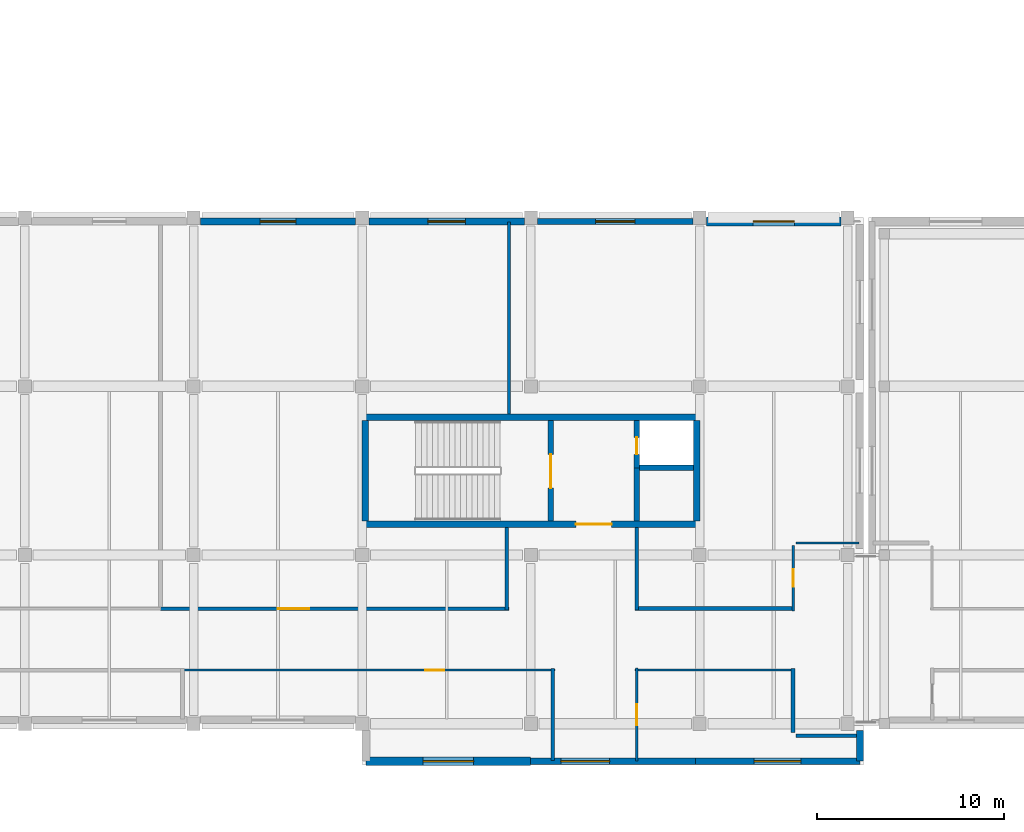
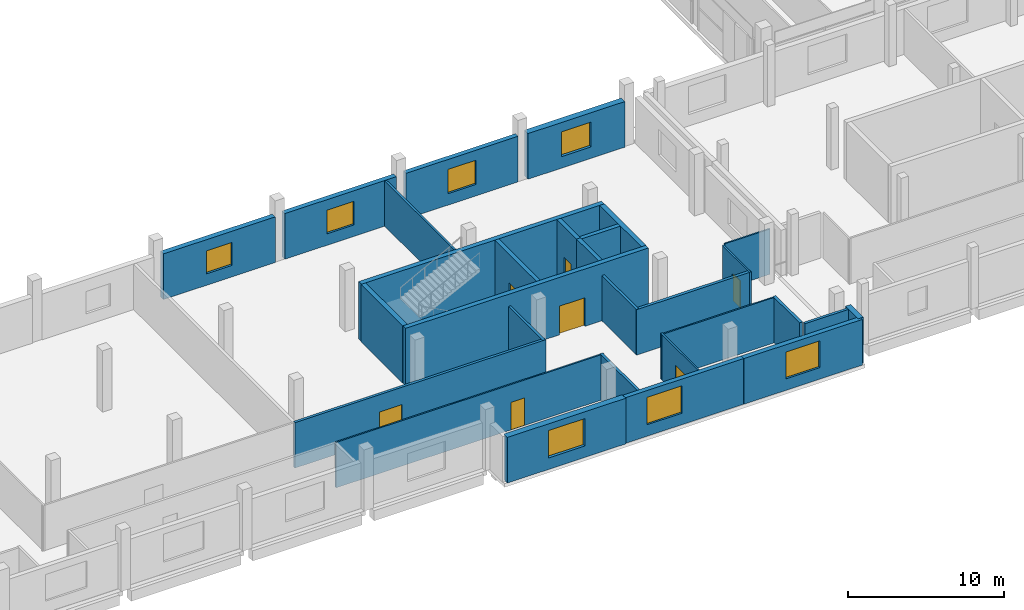
# One storey, part 74 of 111: 29 walls, 7 doors, 7 windows, 14 openings.
"""IFC4 building model written with IfcOpenShell, lengths in metres."""

from ifc_helpers import new_model, si_unit, direction, frame, frame_2d, origin, place, context, subcontext, project, spatial, rectangle, extrude, material, layer, layer_set, type_object, element, fill, save


model = new_model("IFC4")

# Units and contexts
model_context = context("Model", 3, precision=1e-05, world=origin(), true_north=direction((0.0, 1.0)))
body_context = subcontext(model_context, "Body", "Model", "MODEL_VIEW")
ifc_project = project(units=[si_unit("LENGTHUNIT", "METRE"), si_unit("AREAUNIT", "SQUARE_METRE"), si_unit("VOLUMEUNIT", "CUBIC_METRE"), si_unit("PLANEANGLEUNIT", "RADIAN"), si_unit("MASSUNIT", "GRAM", prefix="KILO"), si_unit("THERMODYNAMICTEMPERATUREUNIT", "KELVIN"), si_unit("POWERUNIT", "WATT")], contexts=[model_context])

# Site, building, storey
site_placement = place(None, origin())
site = spatial("IfcSite", under=ifc_project, at=site_placement, CompositionType="ELEMENT")
building_placement = place(site_placement, origin())
building = spatial("IfcBuilding", under=site, at=building_placement, Name="Sindhuravela Promenade Stadium", CompositionType="ELEMENT")
storey_placement = place(building_placement, frame((0.0, 0.0, 9.60009765625)))
storey = spatial("IfcBuildingStorey", under=building, at=storey_placement, Name="L02", CompositionType="ELEMENT", Elevation=9.60009765625)

# Wall, opening, window
ifc_material_1 = material(Name="Terracotta clay brick masonry (15 MPa)", Category="masonry")
ifc_layer_1 = layer(ifc_material_1, 0.340087890625)
ifc_layer_set_1 = layer_set([ifc_layer_1], Name="Terracotta clay brick masonry (15 MPa)")
wall_type_1 = type_object("IfcWallType", Name="EX-WL-BRK340", PredefinedType="SOLIDWALL", material=ifc_layer_set_1)
wall_1_placement = place(storey_placement, frame((144.35498046875, 35.800048828125, 0.0), z_axis=(0.0, 0.0, 1.0), x_axis=(1.0, 0.0, 0.0)))
wall_1 = element("IfcWall", 1, at=wall_1_placement, inside=storey, type_object=wall_type_1, Name="Exterior masonry wall EW06 SOUTH L02", PredefinedType="SOLIDWALL", context=body_context, shape_type="SweptSolid", body=[
    extrude(rectangle(XDim=8.2900390625, YDim=0.340087890625, at=frame_2d((4.14501953125, 0.0))), origin(), (0.0, 0.0, 1.0), 3.579833984375),
])
opening_1_placement = place(wall_1_placement, frame((3.094970703125, 0.0, 0.89990234375)))
opening_1 = element("IfcOpeningElement", 2, at=opening_1_placement, cuts=wall_1, Name="Opening W11", PredefinedType="OPENING", context=body_context, shape_type="SweptSolid", body=[
    extrude(rectangle(XDim=2.10009765625, YDim=1.89990234375, at=frame_2d((1.050048828125, 0.949951171875))), frame((0.0, 0.179931640625, 0.0), z_axis=(0.0, -1.0, 0.0), x_axis=(1.0, 0.0, 0.0)), (0.0, 0.0, 1.0), 0.360107421875),
])
ifc_material_2 = material(Name="Tempered laminated low-E glass", Category="glass")
window_type_1 = type_object("IfcWindowType", Name="WN-FAC-2100x1900", PartitioningType="DOUBLE_PANEL_VERTICAL", PredefinedType="WINDOW", material=ifc_material_2)
window_1_placement = place(opening_1_placement, origin())
window_1 = element("IfcWindow", 3, at=window_1_placement, inside=storey, type_object=window_type_1, Name="Window W11 SOUTH L02", OverallHeight=1.89990234375, OverallWidth=2.10009765625, PartitioningType="DOUBLE_PANEL_VERTICAL", PredefinedType="WINDOW", context=body_context, shape_type="SweptSolid", body=[
    extrude(rectangle(XDim=2.10009765625, YDim=1.89990234375, at=frame_2d((1.050048828125, 0.949951171875))), frame((0.0, 0.030029296875, 0.0), z_axis=(0.0, -1.0, 0.0), x_axis=(1.0, 0.0, 0.0)), (0.0, 0.0, 1.0), 0.06005859375),
])
fill(opening_1, window_1)

wall_2_placement = place(storey_placement, frame((152.7666015625, 7.0, 0.0), z_axis=(0.0, 0.0, 1.0), x_axis=(-1.0, 0.0, 0.0)))
wall_2 = element("IfcWall", 4, at=wall_2_placement, inside=storey, type_object=wall_type_1, Name="Exterior masonry wall EW06 SOUTH L02", PredefinedType="SOLIDWALL", context=body_context, shape_type="SweptSolid", body=[
    extrude(rectangle(XDim=8.783203125, YDim=0.340087890625, at=frame_2d((4.3916015625, 0.0))), origin(), (0.0, 0.0, 1.0), 3.579833984375),
])
opening_2_placement = place(wall_2_placement, frame((4.570068359375, 0.0, 0.89990234375)))
opening_2 = element("IfcOpeningElement", 5, at=opening_2_placement, cuts=wall_2, Name="Opening W16", PredefinedType="OPENING", context=body_context, shape_type="SweptSolid", body=[
    extrude(rectangle(XDim=2.60009765625, YDim=2.14990234375, at=frame_2d((1.300048828125, 1.074951171875))), frame((0.0, 0.179931640625, 0.0), z_axis=(0.0, -1.0, 0.0), x_axis=(1.0, 0.0, 0.0)), (0.0, 0.0, 1.0), 0.360107421875),
])
window_type_2 = type_object("IfcWindowType", Name="WN-FAC-2600x2150", PartitioningType="DOUBLE_PANEL_VERTICAL", PredefinedType="WINDOW", material=ifc_material_2)
window_2_placement = place(opening_2_placement, origin())
window_2 = element("IfcWindow", 6, at=window_2_placement, inside=storey, type_object=window_type_2, Name="Window W16 SOUTH L02", OverallHeight=2.14990234375, OverallWidth=2.60009765625, PartitioningType="DOUBLE_PANEL_VERTICAL", PredefinedType="WINDOW", context=body_context, shape_type="SweptSolid", body=[
    extrude(rectangle(XDim=2.60009765625, YDim=2.14990234375, at=frame_2d((1.300048828125, 1.074951171875))), frame((0.0, 0.030029296875, 0.0), z_axis=(0.0, -1.0, 0.0), x_axis=(1.0, 0.0, 0.0)), (0.0, 0.0, 1.0), 0.06005859375),
])
fill(opening_2, window_2)

ifc_layer_2 = layer(ifc_material_1, 0.360107421875)
ifc_layer_set_2 = layer_set([ifc_layer_2], Name="Terracotta clay brick masonry (15 MPa)")
wall_type_2 = type_object("IfcWallType", Name="EX-WL-BRK360", PredefinedType="SOLIDWALL", material=ifc_layer_set_2)
wall_3_placement = place(storey_placement, frame((135.35498046875, 35.800048828125, 0.0), z_axis=(0.0, 0.0, 1.0), x_axis=(1.0, 0.0, 0.0)))
wall_3 = element("IfcWall", 7, at=wall_3_placement, inside=storey, type_object=wall_type_2, Name="Exterior masonry wall EW05 SOUTH L02", PredefinedType="SOLIDWALL", context=body_context, shape_type="SweptSolid", body=[
    extrude(rectangle(XDim=8.2900390625, YDim=0.360107421875, at=frame_2d((4.14501953125, 0.0))), origin(), (0.0, 0.0, 1.0), 3.579833984375),
])
opening_3_placement = place(wall_3_placement, frame((3.14501953125, 0.0, 0.89990234375)))
opening_3 = element("IfcOpeningElement", 8, at=opening_3_placement, cuts=wall_3, Name="Opening W10", PredefinedType="OPENING", context=body_context, shape_type="SweptSolid", body=[
    extrude(rectangle(XDim=2.0, YDim=1.85009765625, at=frame_2d((1.0, 0.925048828125))), frame((0.0, 0.18994140625, 0.0), z_axis=(0.0, -1.0, 0.0), x_axis=(1.0, 0.0, 0.0)), (0.0, 0.0, 1.0), 0.380126953125),
])
window_type_3 = type_object("IfcWindowType", Name="WN-FAC-2000x1850", PartitioningType="DOUBLE_PANEL_VERTICAL", PredefinedType="WINDOW", material=ifc_material_2)
window_3_placement = place(opening_3_placement, origin())
window_3 = element("IfcWindow", 9, at=window_3_placement, inside=storey, type_object=window_type_3, Name="Window W10 SOUTH L02", OverallHeight=1.85009765625, OverallWidth=2.0, PartitioningType="DOUBLE_PANEL_VERTICAL", PredefinedType="WINDOW", context=body_context, shape_type="SweptSolid", body=[
    extrude(rectangle(XDim=2.0, YDim=1.85009765625, at=frame_2d((1.0, 0.925048828125))), frame((0.0, 0.030029296875, 0.0), z_axis=(0.0, -1.0, 0.0), x_axis=(1.0, 0.0, 0.0)), (0.0, 0.0, 1.0), 0.06005859375),
])
fill(opening_3, window_3)

wall_4_placement = place(storey_placement, frame((161.550048828125, 7.0, 0.0), z_axis=(0.0, 0.0, 1.0), x_axis=(-1.0, 0.0, 0.0)))
wall_4 = element("IfcWall", 10, at=wall_4_placement, inside=storey, type_object=wall_type_2, Name="Exterior masonry wall EW05 SOUTH L02", PredefinedType="SOLIDWALL", context=body_context, shape_type="SweptSolid", body=[
    extrude(rectangle(XDim=8.783447265625, YDim=0.360107421875, at=frame_2d((4.3916015625, 0.0))), origin(), (0.0, 0.0, 1.0), 3.579833984375),
])
opening_4_placement = place(wall_4_placement, frame((3.1416015625, 0.0, 0.89990234375)))
opening_4 = element("IfcOpeningElement", 11, at=opening_4_placement, cuts=wall_4, Name="Opening W15", PredefinedType="OPENING", context=body_context, shape_type="SweptSolid", body=[
    extrude(rectangle(XDim=2.5, YDim=2.10009765625, at=frame_2d((1.25, 1.050048828125))), frame((0.0, 0.18994140625, 0.0), z_axis=(0.0, -1.0, 0.0), x_axis=(1.0, 0.0, 0.0)), (0.0, 0.0, 1.0), 0.380126953125),
])
window_type_4 = type_object("IfcWindowType", Name="WN-FAC-2500x2100", PartitioningType="DOUBLE_PANEL_VERTICAL", PredefinedType="WINDOW", material=ifc_material_2)
window_4_placement = place(opening_4_placement, origin())
window_4 = element("IfcWindow", 12, at=window_4_placement, inside=storey, type_object=window_type_4, Name="Window W15 SOUTH L02", OverallHeight=2.10009765625, OverallWidth=2.5, PartitioningType="DOUBLE_PANEL_VERTICAL", PredefinedType="WINDOW", context=body_context, shape_type="SweptSolid", body=[
    extrude(rectangle(XDim=2.5, YDim=2.10009765625, at=frame_2d((1.25, 1.050048828125))), frame((0.0, 0.030029296875, 0.0), z_axis=(0.0, -1.0, 0.0), x_axis=(1.0, 0.0, 0.0)), (0.0, 0.0, 1.0), 0.06005859375),
])
fill(opening_4, window_4)

ifc_layer_3 = layer(ifc_material_1, 0.3798828125)
ifc_layer_set_3 = layer_set([ifc_layer_3], Name="Terracotta clay brick masonry (15 MPa)")
wall_type_3 = type_object("IfcWallType", Name="EX-WL-BRK380", PredefinedType="SOLIDWALL", material=ifc_layer_set_3)
wall_5_placement = place(storey_placement, frame((126.35498046875, 35.800048828125, 0.0), z_axis=(0.0, 0.0, 1.0), x_axis=(1.0, 0.0, 0.0)))
wall_5 = element("IfcWall", 13, at=wall_5_placement, inside=storey, type_object=wall_type_3, Name="Exterior masonry wall EW04 SOUTH L02", PredefinedType="SOLIDWALL", context=body_context, shape_type="SweptSolid", body=[
    extrude(rectangle(XDim=8.2900390625, YDim=0.3798828125, at=frame_2d((4.14501953125, 0.0))), origin(), (0.0, 0.0, 1.0), 3.579833984375),
])
opening_5_placement = place(wall_5_placement, frame((3.195068359375, 0.0, 0.89990234375)))
opening_5 = element("IfcOpeningElement", 14, at=opening_5_placement, cuts=wall_5, Name="Opening W09", PredefinedType="OPENING", context=body_context, shape_type="SweptSolid", body=[
    extrude(rectangle(XDim=1.89990234375, YDim=1.800048828125, at=frame_2d((0.949951171875, 0.89990234375))), frame((0.0, 0.199951171875, 0.0), z_axis=(0.0, -1.0, 0.0), x_axis=(1.0, 0.0, 0.0)), (0.0, 0.0, 1.0), 0.39990234375),
])
window_type_5 = type_object("IfcWindowType", Name="WN-FAC-1900x1800", PartitioningType="DOUBLE_PANEL_VERTICAL", PredefinedType="WINDOW", material=ifc_material_2)
window_5_placement = place(opening_5_placement, origin())
window_5 = element("IfcWindow", 15, at=window_5_placement, inside=storey, type_object=window_type_5, Name="Window W09 SOUTH L02", OverallHeight=1.800048828125, OverallWidth=1.89990234375, PartitioningType="DOUBLE_PANEL_VERTICAL", PredefinedType="WINDOW", context=body_context, shape_type="SweptSolid", body=[
    extrude(rectangle(XDim=1.89990234375, YDim=1.800048828125, at=frame_2d((0.949951171875, 0.89990234375))), frame((0.0, 0.030029296875, 0.0), z_axis=(0.0, -1.0, 0.0), x_axis=(1.0, 0.0, 0.0)), (0.0, 0.0, 1.0), 0.06005859375),
])
fill(opening_5, window_5)

# Wall
wall_6_placement = place(storey_placement, frame((161.550048828125, 8.64501953125, 0.0), z_axis=(0.0, 0.0, 1.0), x_axis=(0.0, -1.0, 0.0)))
element("IfcWall", 16, at=wall_6_placement, inside=storey, type_object=wall_type_3, Name="Exterior masonry wall EW04 SOUTH L02", PredefinedType="SOLIDWALL", context=body_context, shape_type="SweptSolid", body=[
    extrude(rectangle(XDim=1.64501953125, YDim=0.3798828125, at=frame_2d((0.822509765625, 0.0))), origin(), (0.0, 0.0, 1.0), 3.579833984375),
])

# Wall, opening, window
ifc_layer_4 = layer(ifc_material_1, 0.4599609375)
ifc_layer_set_4 = layer_set([ifc_layer_4], Name="Terracotta clay brick masonry (15 MPa)")
wall_type_4 = type_object("IfcWallType", Name="EX-WL-BRK460", PredefinedType="SOLIDWALL", material=ifc_layer_set_4)
wall_7_placement = place(storey_placement, frame((153.35498046875, 35.800048828125, 0.0), z_axis=(0.0, 0.0, 1.0), x_axis=(1.0, 0.0, 0.0)))
wall_7 = element("IfcWall", 17, at=wall_7_placement, inside=storey, type_object=wall_type_4, Name="Exterior masonry wall EW01 SOUTH L02", PredefinedType="SOLIDWALL", context=body_context, shape_type="SweptSolid", body=[
    extrude(rectangle(XDim=7.18994140625, YDim=0.4599609375, at=frame_2d((3.594970703125, 0.0))), origin(), (0.0, 0.0, 1.0), 3.579833984375),
])
opening_6_placement = place(wall_7_placement, frame((2.4951171875, 0.0, 0.89990234375)))
opening_6 = element("IfcOpeningElement", 18, at=opening_6_placement, cuts=wall_7, Name="Opening W12", PredefinedType="OPENING", context=body_context, shape_type="SweptSolid", body=[
    extrude(rectangle(XDim=2.199951171875, YDim=1.949951171875, at=frame_2d((1.10009765625, 0.97509765625))), frame((0.0, 0.239990234375, 0.0), z_axis=(0.0, -1.0, 0.0), x_axis=(1.0, 0.0, 0.0)), (0.0, 0.0, 1.0), 0.47998046875),
])
window_type_6 = type_object("IfcWindowType", Name="WN-FAC-2200x1950", PartitioningType="DOUBLE_PANEL_VERTICAL", PredefinedType="WINDOW", material=ifc_material_2)
window_6_placement = place(opening_6_placement, origin())
window_6 = element("IfcWindow", 19, at=window_6_placement, inside=storey, type_object=window_type_6, Name="Window W12 SOUTH L02", OverallHeight=1.949951171875, OverallWidth=2.199951171875, PartitioningType="DOUBLE_PANEL_VERTICAL", PredefinedType="WINDOW", context=body_context, shape_type="SweptSolid", body=[
    extrude(rectangle(XDim=2.199951171875, YDim=1.949951171875, at=frame_2d((1.10009765625, 0.97509765625))), frame((0.0, 0.030029296875, 0.0), z_axis=(0.0, -1.0, 0.0), x_axis=(1.0, 0.0, 0.0)), (0.0, 0.0, 1.0), 0.06005859375),
])
fill(opening_6, window_6)

wall_8_placement = place(storey_placement, frame((143.9833984375, 7.0, 0.0), z_axis=(0.0, 0.0, 1.0), x_axis=(-1.0, 0.0, 0.0)))
wall_8 = element("IfcWall", 20, at=wall_8_placement, inside=storey, type_object=wall_type_4, Name="Exterior masonry wall EW01 SOUTH L02", PredefinedType="SOLIDWALL", context=body_context, shape_type="SweptSolid", body=[
    extrude(rectangle(XDim=8.783447265625, YDim=0.4599609375, at=frame_2d((4.3916015625, 0.0))), origin(), (0.0, 0.0, 1.0), 3.579833984375),
])
opening_7_placement = place(wall_8_placement, frame((3.041748046875, 0.0, 0.89990234375)))
opening_7 = element("IfcOpeningElement", 21, at=opening_7_placement, cuts=wall_8, Name="Opening W17", PredefinedType="OPENING", context=body_context, shape_type="SweptSolid", body=[
    extrude(rectangle(XDim=2.699951171875, YDim=2.14990234375, at=frame_2d((1.35009765625, 1.074951171875))), frame((0.0, 0.239990234375, 0.0), z_axis=(0.0, -1.0, 0.0), x_axis=(1.0, 0.0, 0.0)), (0.0, 0.0, 1.0), 0.47998046875),
])
window_type_7 = type_object("IfcWindowType", Name="WN-FAC-2700x2150", PartitioningType="DOUBLE_PANEL_VERTICAL", PredefinedType="WINDOW", material=ifc_material_2)
window_7_placement = place(opening_7_placement, origin())
window_7 = element("IfcWindow", 22, at=window_7_placement, inside=storey, type_object=window_type_7, Name="Window W17 SOUTH L02", OverallHeight=2.14990234375, OverallWidth=2.699951171875, PartitioningType="DOUBLE_PANEL_VERTICAL", PredefinedType="WINDOW", context=body_context, shape_type="SweptSolid", body=[
    extrude(rectangle(XDim=2.699951171875, YDim=2.14990234375, at=frame_2d((1.35009765625, 1.074951171875))), frame((0.0, 0.030029296875, 0.0), z_axis=(0.0, -1.0, 0.0), x_axis=(1.0, 0.0, 0.0)), (0.0, 0.0, 1.0), 0.06005859375),
])
fill(opening_7, window_7)

# Wall
ifc_material_3 = material(Name="Fire-rated gypsum partition board", Category="gypsum")
ifc_layer_5 = layer(ifc_material_3, 0.110107421875)
ifc_layer_set_5 = layer_set([ifc_layer_5], Name="Fire-rated gypsum partition board")
wall_type_5 = type_object("IfcWallType", Name="IN-WL-PAR110", PredefinedType="PARTITIONING", material=ifc_layer_set_5)
wall_9_placement = place(storey_placement, frame((161.510009765625, 18.639892578125, 0.0), z_axis=(0.0, 0.0, 1.0), x_axis=(-1.0, 0.0, 0.0)))
element("IfcWall", 23, at=wall_9_placement, inside=storey, type_object=wall_type_5, Name="Interior partition IW06 SOUTH L02", PredefinedType="PARTITIONING", context=body_context, shape_type="SweptSolid", body=[
    extrude(rectangle(XDim=3.360107421875, YDim=0.110107421875, at=frame_2d((1.68017578125, 0.0))), origin(), (0.0, 0.0, 1.0), 3.559814453125),
])

# Wall, opening, door
wall_10_placement = place(storey_placement, frame((145.280029296875, 11.860107421875, 0.0), z_axis=(0.0, 0.0, 1.0), x_axis=(-1.0, 0.0, 0.0)))
wall_10 = element("IfcWall", 24, at=wall_10_placement, inside=storey, type_object=wall_type_5, Name="Corridor partition IW06 Public Toilet Block South L02", PredefinedType="PARTITIONING", context=body_context, shape_type="SweptSolid", body=[
    extrude(rectangle(XDim=19.880126953125, YDim=0.110107421875, at=frame_2d((9.93994140625, 0.0))), origin(), (0.0, 0.0, 1.0), 3.559814453125),
])
opening_8_placement = place(wall_10_placement, frame((5.894775390625, 0.0, 0.0)))
opening_8 = element("IfcOpeningElement", 25, at=opening_8_placement, cuts=wall_10, Name="Opening ID11", PredefinedType="OPENING", context=body_context, shape_type="SweptSolid", body=[
    extrude(rectangle(XDim=1.02001953125, YDim=2.159912109375, at=frame_2d((0.510009765625, 1.080078125))), frame((0.0, 0.06494140625, 0.0), z_axis=(0.0, -1.0, 0.0), x_axis=(1.0, 0.0, 0.0)), (0.0, 0.0, 1.0), 0.130126953125),
])
ifc_material_4 = material(Name="Architectural teak timber leaf", Category="wood")
door_type_1 = type_object("IfcDoorType", Name="DR-INT-1020x2160", OperationType="NOTDEFINED", PredefinedType="DOOR", material=ifc_material_4)
door_1_placement = place(opening_8_placement, origin())
door_1 = element("IfcDoor", 26, at=door_1_placement, inside=storey, type_object=door_type_1, Name="Public Toilet Block South L02 door", OperationType="SINGLE_SWING_RIGHT", OverallHeight=2.159912109375, OverallWidth=1.02001953125, PredefinedType="DOOR", context=body_context, shape_type="SweptSolid", body=[
    extrude(rectangle(XDim=1.02001953125, YDim=2.159912109375, at=frame_2d((0.510009765625, 1.080078125))), frame((0.0, 0.02490234375, 0.0), z_axis=(0.0, -1.0, 0.0), x_axis=(1.0, 0.0, 0.0)), (0.0, 0.0, 1.0), 0.050048828125),
])
fill(opening_8, door_1)

# Wall
wall_11_placement = place(storey_placement, frame((149.56005859375, 11.860107421875, 0.0), z_axis=(0.0, 0.0, 1.0), x_axis=(1.0, 0.0, 0.0)))
element("IfcWall", 27, at=wall_11_placement, inside=storey, type_object=wall_type_5, Name="Interior partition IW06 SOUTH L02", PredefinedType="PARTITIONING", context=body_context, shape_type="SweptSolid", body=[
    extrude(rectangle(XDim=8.510009765625, YDim=0.110107421875, at=frame_2d((4.2548828125, 0.0))), origin(), (0.0, 0.0, 1.0), 3.559814453125),
])

# Wall, opening, door
ifc_layer_6 = layer(ifc_material_3, 0.1298828125)
ifc_layer_set_6 = layer_set([ifc_layer_6], Name="Fire-rated gypsum partition board")
wall_type_6 = type_object("IfcWallType", Name="IN-WL-PAR130", PredefinedType="PARTITIONING", material=ifc_layer_set_6)
wall_12_placement = place(storey_placement, frame((157.989990234375, 15.02001953125, 0.0), z_axis=(0.0, 0.0, 1.0), x_axis=(0.0, 1.0, 0.0)))
wall_12 = element("IfcWall", 28, at=wall_12_placement, inside=storey, type_object=wall_type_6, Name="Corridor partition IW05 Community Catering Kitchen", PredefinedType="PARTITIONING", context=body_context, shape_type="SweptSolid", body=[
    extrude(rectangle(XDim=3.5, YDim=0.1298828125, at=frame_2d((1.75, 0.0))), origin(), (0.0, 0.0, 1.0), 3.559814453125),
])
opening_9_placement = place(wall_12_placement, frame((1.27490234375, 0.0, 0.0)))
opening_9 = element("IfcOpeningElement", 29, at=opening_9_placement, cuts=wall_12, Name="Opening ID09", PredefinedType="OPENING", context=body_context, shape_type="SweptSolid", body=[
    extrude(rectangle(XDim=0.949951171875, YDim=2.10009765625, at=frame_2d((0.47509765625, 1.050048828125))), frame((0.0, 0.074951171875, 0.0), z_axis=(0.0, -1.0, 0.0), x_axis=(1.0, 0.0, 0.0)), (0.0, 0.0, 1.0), 0.14990234375),
])
door_type_2 = type_object("IfcDoorType", Name="DR-INT-950x2100", OperationType="NOTDEFINED", PredefinedType="DOOR", material=ifc_material_4)
door_2_placement = place(opening_9_placement, origin())
door_2 = element("IfcDoor", 30, at=door_2_placement, inside=storey, type_object=door_type_2, Name="Community Catering Kitchen door", OperationType="SINGLE_SWING_LEFT", OverallHeight=2.10009765625, OverallWidth=0.949951171875, PredefinedType="DOOR", context=body_context, shape_type="SweptSolid", body=[
    extrude(rectangle(XDim=0.949951171875, YDim=2.10009765625, at=frame_2d((0.47509765625, 1.050048828125))), frame((0.0, 0.02490234375, 0.0), z_axis=(0.0, -1.0, 0.0), x_axis=(1.0, 0.0, 0.0)), (0.0, 0.0, 1.0), 0.050048828125),
])
fill(opening_9, door_2)

wall_13_placement = place(storey_placement, frame((149.639892578125, 11.97998046875, 0.0), z_axis=(0.0, 0.0, 1.0), x_axis=(0.0, -1.0, 0.0)))
wall_13 = element("IfcWall", 31, at=wall_13_placement, inside=storey, type_object=wall_type_6, Name="Corridor partition IW05 Civic Seminar and Education Room 3", PredefinedType="PARTITIONING", context=body_context, shape_type="SweptSolid", body=[
    extrude(rectangle(XDim=4.97998046875, YDim=0.1298828125, at=frame_2d((2.489990234375, 0.0))), origin(), (0.0, 0.0, 1.0), 3.559814453125),
])
opening_10_placement = place(wall_13_placement, frame((1.929931640625, 0.0, 0.0)))
opening_10 = element("IfcOpeningElement", 32, at=opening_10_placement, cuts=wall_13, Name="Opening ID13", PredefinedType="OPENING", context=body_context, shape_type="SweptSolid", body=[
    extrude(rectangle(XDim=1.1201171875, YDim=2.219970703125, at=frame_2d((0.56005859375, 1.10986328125))), frame((0.0, 0.074951171875, 0.0), z_axis=(0.0, -1.0, 0.0), x_axis=(1.0, 0.0, 0.0)), (0.0, 0.0, 1.0), 0.14990234375),
])
door_type_3 = type_object("IfcDoorType", Name="DR-INT-1120x2220", OperationType="NOTDEFINED", PredefinedType="DOOR", material=ifc_material_4)
door_3_placement = place(opening_10_placement, origin())
door_3 = element("IfcDoor", 33, at=door_3_placement, inside=storey, type_object=door_type_3, Name="Civic Seminar and Education Room 3 door", OperationType="SINGLE_SWING_RIGHT", OverallHeight=2.219970703125, OverallWidth=1.1201171875, PredefinedType="DOOR", context=body_context, shape_type="SweptSolid", body=[
    extrude(rectangle(XDim=1.1201171875, YDim=2.219970703125, at=frame_2d((0.56005859375, 1.10986328125))), frame((0.0, 0.02490234375, 0.0), z_axis=(0.0, -1.0, 0.0), x_axis=(1.0, 0.0, 0.0)), (0.0, 0.0, 1.0), 0.050048828125),
])
fill(opening_10, door_3)

# Walls
ifc_layer_7 = layer(ifc_material_3, 0.14990234375)
ifc_layer_set_7 = layer_set([ifc_layer_7], Name="Fire-rated gypsum partition board")
wall_type_7 = type_object("IfcWallType", Name="IN-WL-PAR150", PredefinedType="PARTITIONING", material=ifc_layer_set_7)
wall_14_placement = place(storey_placement, frame((142.833251953125, 35.760009765625, 0.0), z_axis=(0.0, 0.0, 1.0), x_axis=(0.0, -1.0, 0.0)))
element("IfcWall", 34, at=wall_14_placement, inside=storey, type_object=wall_type_7, Name="Interior partition IW04 SOUTH L02", PredefinedType="PARTITIONING", context=body_context, shape_type="SweptSolid", body=[
    extrude(rectangle(XDim=10.23291015625, YDim=0.14990234375, at=frame_2d((5.116455078125, 0.0))), origin(), (0.0, 0.0, 1.0), 3.559814453125),
])
ifc_layer_8 = layer(ifc_material_3, 0.175048828125)
ifc_layer_set_8 = layer_set([ifc_layer_8], Name="Fire-rated gypsum partition board")
wall_type_8 = type_object("IfcWallType", Name="IN-WL-PAR175", PredefinedType="PARTITIONING", material=ifc_layer_set_8)
wall_15_placement = place(storey_placement, frame((142.71337890625, 19.472900390625, 0.0), z_axis=(0.0, 0.0, 1.0), x_axis=(0.0, -1.0, 0.0)))
element("IfcWall", 35, at=wall_15_placement, inside=storey, type_object=wall_type_8, Name="Interior partition IW03 SOUTH L02", PredefinedType="PARTITIONING", context=body_context, shape_type="SweptSolid", body=[
    extrude(rectangle(XDim=4.412841796875, YDim=0.175048828125, at=frame_2d((2.20654296875, 0.0))), origin(), (0.0, 0.0, 1.0), 3.559814453125),
])

# Wall, opening, door
ifc_layer_9 = layer(ifc_material_3, 0.195068359375)
ifc_layer_set_9 = layer_set([ifc_layer_9], Name="Fire-rated gypsum partition board")
wall_type_9 = type_object("IfcWallType", Name="IN-WL-PAR195", PredefinedType="PARTITIONING", material=ifc_layer_set_9)
wall_16_placement = place(storey_placement, frame((124.23681640625, 15.139892578125, 0.0), z_axis=(0.0, 0.0, 1.0), x_axis=(1.0, 0.0, 0.0)))
wall_16 = element("IfcWall", 36, at=wall_16_placement, inside=storey, type_object=wall_type_9, Name="Corridor partition IW02 South Members Lounge", PredefinedType="PARTITIONING", context=body_context, shape_type="SweptSolid", body=[
    extrude(rectangle(XDim=18.596435546875, YDim=0.195068359375, at=frame_2d((9.29833984375, 0.0))), origin(), (0.0, 0.0, 1.0), 3.559814453125),
])
opening_11_placement = place(wall_16_placement, frame((6.24560546875, 0.0, 0.0)))
opening_11 = element("IfcOpeningElement", 37, at=opening_11_placement, cuts=wall_16, Name="Opening ID01", PredefinedType="OPENING", context=body_context, shape_type="SweptSolid", body=[
    extrude(rectangle(XDim=1.699951171875, YDim=2.199951171875, at=frame_2d((0.85009765625, 1.10009765625))), frame((0.0, 0.107421875, 0.0), z_axis=(0.0, -1.0, 0.0), x_axis=(1.0, 0.0, 0.0)), (0.0, 0.0, 1.0), 0.215087890625),
])
door_type_4 = type_object("IfcDoorType", Name="DR-INT-1700x2200", OperationType="DOUBLE_DOOR_SINGLE_SWING", PredefinedType="DOOR", material=ifc_material_4)
door_4_placement = place(opening_11_placement, origin())
door_4 = element("IfcDoor", 38, at=door_4_placement, inside=storey, type_object=door_type_4, Name="South Members Lounge door", OperationType="DOUBLE_DOOR_SINGLE_SWING", OverallHeight=2.199951171875, OverallWidth=1.699951171875, PredefinedType="DOOR", context=body_context, shape_type="SweptSolid", body=[
    extrude(rectangle(XDim=1.699951171875, YDim=2.199951171875, at=frame_2d((0.85009765625, 1.10009765625))), frame((0.0, 0.02490234375, 0.0), z_axis=(0.0, -1.0, 0.0), x_axis=(1.0, 0.0, 0.0)), (0.0, 0.0, 1.0), 0.050048828125),
])
fill(opening_11, door_4)

# Walls
wall_17_placement = place(storey_placement, frame((149.639892578125, 15.06005859375, 0.0), z_axis=(0.0, 0.0, 1.0), x_axis=(0.0, 1.0, 0.0)))
element("IfcWall", 39, at=wall_17_placement, inside=storey, type_object=wall_type_9, Name="Interior partition IW02 SOUTH L02", PredefinedType="PARTITIONING", context=body_context, shape_type="SweptSolid", body=[
    extrude(rectangle(XDim=4.412841796875, YDim=0.195068359375, at=frame_2d((2.20654296875, 0.0))), origin(), (0.0, 0.0, 1.0), 3.559814453125),
])
wall_18_placement = place(storey_placement, frame((145.159912109375, 11.93994140625, 0.0), z_axis=(0.0, 0.0, 1.0), x_axis=(0.0, -1.0, 0.0)))
element("IfcWall", 40, at=wall_18_placement, inside=storey, type_object=wall_type_9, Name="Interior partition IW02 SOUTH L02", PredefinedType="PARTITIONING", context=body_context, shape_type="SweptSolid", body=[
    extrude(rectangle(XDim=4.89990234375, YDim=0.195068359375, at=frame_2d((2.449951171875, 0.0))), origin(), (0.0, 0.0, 1.0), 3.559814453125),
])
wall_19_placement = place(storey_placement, frame((158.14990234375, 8.360107421875, 0.0), z_axis=(0.0, 0.0, 1.0), x_axis=(1.0, 0.0, 0.0)))
element("IfcWall", 41, at=wall_19_placement, inside=storey, type_object=wall_type_9, Name="Interior partition IW02 SOUTH L02", PredefinedType="PARTITIONING", context=body_context, shape_type="SweptSolid", body=[
    extrude(rectangle(XDim=3.360107421875, YDim=0.195068359375, at=frame_2d((1.68017578125, 0.0))), origin(), (0.0, 0.0, 1.0), 3.559814453125),
])
ifc_layer_10 = layer(ifc_material_3, 0.219970703125)
ifc_layer_set_10 = layer_set([ifc_layer_10], Name="Fire-rated gypsum partition board")
wall_type_10 = type_object("IfcWallType", Name="IN-WL-PAR220", PredefinedType="PARTITIONING", material=ifc_layer_set_10)
wall_20_placement = place(storey_placement, frame((158.070068359375, 15.139892578125, 0.0), z_axis=(0.0, 0.0, 1.0), x_axis=(-1.0, 0.0, 0.0)))
element("IfcWall", 42, at=wall_20_placement, inside=storey, type_object=wall_type_10, Name="Interior partition IW01 SOUTH L02", PredefinedType="PARTITIONING", context=body_context, shape_type="SweptSolid", body=[
    extrude(rectangle(XDim=8.510009765625, YDim=0.219970703125, at=frame_2d((4.2548828125, 0.0))), origin(), (0.0, 0.0, 1.0), 3.559814453125),
])
wall_21_placement = place(storey_placement, frame((157.989990234375, 11.93994140625, 0.0), z_axis=(0.0, 0.0, 1.0), x_axis=(0.0, -1.0, 0.0)))
element("IfcWall", 43, at=wall_21_placement, inside=storey, type_object=wall_type_10, Name="Interior partition IW01 SOUTH L02", PredefinedType="PARTITIONING", context=body_context, shape_type="SweptSolid", body=[
    extrude(rectangle(XDim=3.419921875, YDim=0.219970703125, at=frame_2d((1.7099609375, 0.0))), origin(), (0.0, 0.0, 1.0), 3.559814453125),
])

# Wall, opening, door
ifc_material_5 = material(Name="Concrete M50", Category="concrete")
ifc_layer_11 = layer(ifc_material_5, 0.300048828125)
ifc_layer_set_11 = layer_set([ifc_layer_11], Name="Concrete M50")
wall_type_11 = type_object("IfcWallType", Name="RC-SW-300", PredefinedType="SHEAR", material=ifc_layer_set_11)
wall_22_placement = place(storey_placement, frame((145.050048828125, 19.824951171875, 0.0), z_axis=(0.0, 0.0, 1.0), x_axis=(0.0, 1.0, 0.0)))
wall_22 = element("IfcWall", 44, at=wall_22_placement, inside=storey, type_object=wall_type_11, Name="Core shear wall C12-ST (L02)", PredefinedType="SHEAR", context=body_context, shape_type="SweptSolid", body=[
    extrude(rectangle(XDim=5.35009765625, YDim=0.300048828125, at=frame_2d((2.675048828125, 0.0))), origin(), (0.0, 0.0, 1.0), 4.5),
])
opening_12_placement = place(wall_22_placement, frame((1.75, 0.0, 0.0)))
opening_12 = element("IfcOpeningElement", 45, at=opening_12_placement, cuts=wall_22, Name="Opening FD01", PredefinedType="OPENING", context=body_context, shape_type="SweptSolid", body=[
    extrude(rectangle(XDim=1.800048828125, YDim=2.25, at=frame_2d((0.89990234375, 1.125))), frame((0.0, 0.159912109375, 0.0), z_axis=(0.0, -1.0, 0.0), x_axis=(1.0, 0.0, 0.0)), (0.0, 0.0, 1.0), 0.320068359375),
])
ifc_material_6 = material(Name="Architectural wrought steel E350", Category="steel")
door_type_5 = type_object("IfcDoorType", Name="DR-CORE-1800x2250", OperationType="DOUBLE_DOOR_SINGLE_SWING", PredefinedType="DOOR", material=ifc_material_6)
door_5_placement = place(opening_12_placement, origin())
door_5 = element("IfcDoor", 46, at=door_5_placement, inside=storey, type_object=door_type_5, Name="Stair ST12 lobby fire door (L02)", OperationType="DOUBLE_DOOR_SINGLE_SWING", OverallHeight=2.25, OverallWidth=1.800048828125, PredefinedType="DOOR", context=body_context, shape_type="SweptSolid", body=[
    extrude(rectangle(XDim=1.800048828125, YDim=2.25, at=frame_2d((0.89990234375, 1.125))), frame((0.0, 0.02490234375, 0.0), z_axis=(0.0, -1.0, 0.0), x_axis=(1.0, 0.0, 0.0)), (0.0, 0.0, 1.0), 0.050048828125),
])
fill(opening_12, door_5)

# Wall
wall_23_placement = place(storey_placement, frame((149.64990234375, 19.824951171875, 0.0), z_axis=(0.0, 0.0, 1.0), x_axis=(0.0, 1.0, 0.0)))
element("IfcWall", 47, at=wall_23_placement, inside=storey, type_object=wall_type_11, Name="Core shear wall C12-LFT (L02)", PredefinedType="SHEAR", context=body_context, shape_type="SweptSolid", body=[
    extrude(rectangle(XDim=2.824951171875, YDim=0.300048828125, at=frame_2d((1.41259765625, 0.0))), origin(), (0.0, 0.0, 1.0), 4.5),
])

# Wall, opening, door
wall_24_placement = place(storey_placement, frame((149.64990234375, 22.64990234375, 0.0), z_axis=(0.0, 0.0, 1.0), x_axis=(0.0, 1.0, 0.0)))
wall_24 = element("IfcWall", 48, at=wall_24_placement, inside=storey, type_object=wall_type_11, Name="Core shear wall C12-RSR (L02)", PredefinedType="SHEAR", context=body_context, shape_type="SweptSolid", body=[
    extrude(rectangle(XDim=2.525146484375, YDim=0.300048828125, at=frame_2d((1.2626953125, 0.0))), origin(), (0.0, 0.0, 1.0), 4.5),
])
opening_13_placement = place(wall_24_placement, frame((0.72509765625, 0.0, 0.0)))
opening_13 = element("IfcOpeningElement", 49, at=opening_13_placement, cuts=wall_24, Name="Opening FD03", PredefinedType="OPENING", context=body_context, shape_type="SweptSolid", body=[
    extrude(rectangle(XDim=0.89990234375, YDim=2.10009765625, at=frame_2d((0.449951171875, 1.050048828125))), frame((0.0, 0.159912109375, 0.0), z_axis=(0.0, -1.0, 0.0), x_axis=(1.0, 0.0, 0.0)), (0.0, 0.0, 1.0), 0.320068359375),
])
door_type_6 = type_object("IfcDoorType", Name="DR-RSR-900x2100", OperationType="NOTDEFINED", PredefinedType="DOOR", material=ifc_material_6)
door_6_placement = place(opening_13_placement, origin())
door_6 = element("IfcDoor", 50, at=door_6_placement, inside=storey, type_object=door_type_6, Name="Riser shaft access door C12 (L02)", OperationType="SINGLE_SWING_LEFT", OverallHeight=2.10009765625, OverallWidth=0.89990234375, PredefinedType="DOOR", context=body_context, shape_type="SweptSolid", body=[
    extrude(rectangle(XDim=0.89990234375, YDim=2.10009765625, at=frame_2d((0.449951171875, 1.050048828125))), frame((0.0, 0.02490234375, 0.0), z_axis=(0.0, -1.0, 0.0), x_axis=(1.0, 0.0, 0.0)), (0.0, 0.0, 1.0), 0.050048828125),
])
fill(opening_13, door_6)

# Wall
wall_25_placement = place(storey_placement, frame((149.800048828125, 22.64990234375, 0.0), z_axis=(0.0, 0.0, 1.0), x_axis=(1.0, 0.0, 0.0)))
element("IfcWall", 51, at=wall_25_placement, inside=storey, type_object=wall_type_11, Name="Core shear wall C12-DIV (L02)", PredefinedType="SHEAR", context=body_context, shape_type="SweptSolid", body=[
    extrude(rectangle(XDim=2.875, YDim=0.300048828125, at=frame_2d((1.4375, 0.0))), origin(), (0.0, 0.0, 1.0), 4.5),
])

# Wall, opening, door
ifc_layer_12 = layer(ifc_material_5, 0.35009765625)
ifc_layer_set_12 = layer_set([ifc_layer_12], Name="Concrete M50")
wall_type_12 = type_object("IfcWallType", Name="RC-SW-350", PredefinedType="SHEAR", material=ifc_layer_set_12)
wall_26_placement = place(storey_placement, frame((135.0, 19.64990234375, 0.0), z_axis=(0.0, 0.0, 1.0), x_axis=(1.0, 0.0, 0.0)))
wall_26 = element("IfcWall", 52, at=wall_26_placement, inside=storey, type_object=wall_type_12, Name="Core shear wall C12-S (L02)", PredefinedType="SHEAR", context=body_context, shape_type="SweptSolid", body=[
    extrude(rectangle(XDim=18.0, YDim=0.35009765625, at=frame_2d((9.0, 0.0))), origin(), (0.0, 0.0, 1.0), 4.5),
])
opening_14_placement = place(wall_26_placement, frame((11.39990234375, 0.0, 0.0)))
opening_14 = element("IfcOpeningElement", 53, at=opening_14_placement, cuts=wall_26, Name="Opening FD02", PredefinedType="OPENING", context=body_context, shape_type="SweptSolid", body=[
    extrude(rectangle(XDim=1.89990234375, YDim=2.25, at=frame_2d((0.949951171875, 1.125))), frame((0.0, 0.18505859375, 0.0), z_axis=(0.0, -1.0, 0.0), x_axis=(1.0, 0.0, 0.0)), (0.0, 0.0, 1.0), 0.3701171875),
])
door_type_7 = type_object("IfcDoorType", Name="DR-LOB-1900x2250", OperationType="DOUBLE_DOOR_SINGLE_SWING", PredefinedType="DOOR", material=ifc_material_6)
door_7_placement = place(opening_14_placement, origin())
door_7 = element("IfcDoor", 54, at=door_7_placement, inside=storey, type_object=door_type_7, Name="Protected lobby entrance door C12 (L02)", OperationType="DOUBLE_DOOR_SINGLE_SWING", OverallHeight=2.25, OverallWidth=1.89990234375, PredefinedType="DOOR", context=body_context, shape_type="SweptSolid", body=[
    extrude(rectangle(XDim=1.89990234375, YDim=2.25, at=frame_2d((0.949951171875, 1.125))), frame((0.0, 0.02490234375, 0.0), z_axis=(0.0, -1.0, 0.0), x_axis=(1.0, 0.0, 0.0)), (0.0, 0.0, 1.0), 0.050048828125),
])
fill(opening_14, door_7)

# Walls
wall_27_placement = place(storey_placement, frame((153.0, 25.35009765625, 0.0), z_axis=(0.0, 0.0, 1.0), x_axis=(-1.0, 0.0, 0.0)))
element("IfcWall", 55, at=wall_27_placement, inside=storey, type_object=wall_type_12, Name="Core shear wall C12-N (L02)", PredefinedType="SHEAR", context=body_context, shape_type="SweptSolid", body=[
    extrude(rectangle(XDim=18.0, YDim=0.35009765625, at=frame_2d((9.0, 0.0))), origin(), (0.0, 0.0, 1.0), 4.5),
])
for number, where, z_axis, x_axis, name in (
    (56, (135.14990234375, 25.175048828125, 0.0), (0.0, 0.0, 1.0), (0.0, -1.0, 0.0), "Core shear wall C12-W (L02)"),
    (57, (152.85009765625, 19.824951171875, 0.0), (0.0, 0.0, 1.0), (0.0, 1.0, 0.0), "Core shear wall C12-E (L02)"),
):
    element("IfcWall", number, at=place(storey_placement, frame(where, z_axis=z_axis, x_axis=x_axis)), inside=storey, type_object=wall_type_12, Name=name, PredefinedType="SHEAR", context=body_context, shape_type="SweptSolid", body=[
        extrude(rectangle(XDim=5.35009765625, YDim=0.35009765625, at=frame_2d((2.675048828125, 0.0))), origin(), (0.0, 0.0, 1.0), 4.5),
    ])

save(model, "model.ifc")
